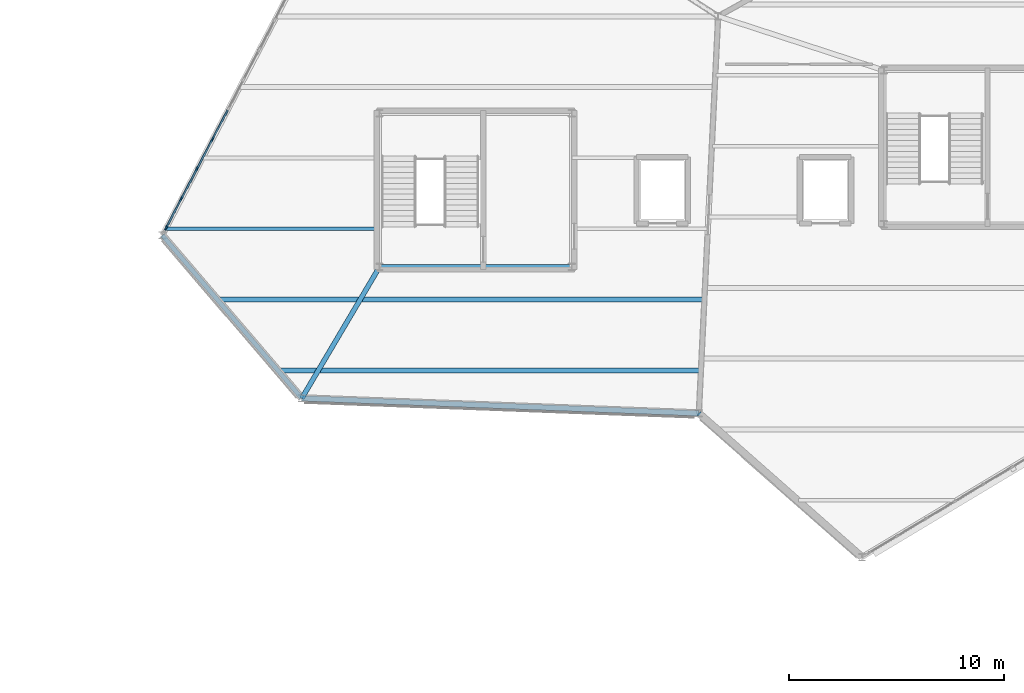
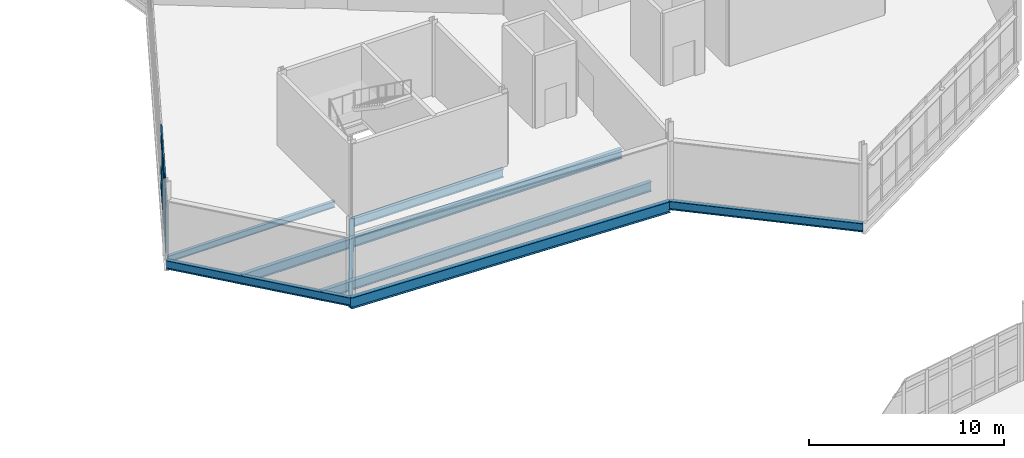
# One storey, part 50 of 114: 20 members, 8 beams, 1 element without a shape of its own.
"""IFC4 building model written with IfcOpenShell, lengths in metres."""

from ifc_helpers import new_model, si_unit, direction, frame, origin, origin_2d, place, context, subcontext, project, spatial, rectangle, i_section, extrude, material, material_profile, profile_set, type_object, element, aggregate, save


model = new_model("IFC4")

# Units and contexts
model_context = context("Model", 3, precision=1e-05, world=origin(), true_north=direction((0.0, 1.0)))
body_context = subcontext(model_context, "Body", "Model", "MODEL_VIEW")
ifc_project = project(units=[si_unit("LENGTHUNIT", "METRE"), si_unit("AREAUNIT", "SQUARE_METRE"), si_unit("VOLUMEUNIT", "CUBIC_METRE"), si_unit("PLANEANGLEUNIT", "RADIAN"), si_unit("MASSUNIT", "GRAM", prefix="KILO")], contexts=[model_context])

# Site, building, storey
site_placement = place(None, origin())
site = spatial("IfcSite", under=ifc_project, at=site_placement, CompositionType="ELEMENT")
building_placement = place(site_placement, origin())
building = spatial("IfcBuilding", under=site, at=building_placement, Name="Tameran Prism Museum", CompositionType="ELEMENT")
storey_placement = place(building_placement, frame((0.0, 0.0, 10.199951171875)))
storey = spatial("IfcBuildingStorey", under=building, at=storey_placement, Name="L02", CompositionType="ELEMENT", Elevation=10.199951171875)

# Beams
ifc_material_1 = material(Name="Steel Grade 300PLUS (300 MPa)", Category="steel")
ifc_material_profile_1 = material_profile(ifc_material_1, i_section(OverallWidth=0.177978515625, OverallDepth=0.403076171875, WebThickness=0.007568359375, FlangeThickness=0.010986328125, FilletRadius=0.011474609375, at=origin_2d()))
ifc_profile_set_1 = profile_set([ifc_material_profile_1])
beam_type_1 = type_object("IfcBeamType", Name="BM-J410B", PredefinedType="JOIST", material=ifc_profile_set_1)
beam_1_placement = place(storey_placement, frame((93.10205078125, 79.199951171875, -0.4013671875), z_axis=(1.0, 0.0, 0.0), x_axis=(0.0, 1.0, 0.0)))
element("IfcBeam", 1, at=beam_1_placement, inside=storey, type_object=beam_type_1, Name="Floor Beam BM-0811", PredefinedType="JOIST", context=body_context, shape_type="SweptSolid", body=[
    extrude(i_section(OverallWidth=0.177978515625, OverallDepth=0.403076171875, WebThickness=0.007568359375, FlangeThickness=0.010986328125, FilletRadius=0.011474609375, at=origin_2d()), origin(), (0.0, 0.0, 1.0), 9.91796875),
])
ifc_material_2 = material(Name="Steel Grade 300PLUS (300 MPa)", Category="steel")
ifc_material_profile_2 = material_profile(ifc_material_2, i_section(OverallWidth=0.208984375, OverallDepth=0.532958984375, WebThickness=0.01025390625, FlangeThickness=0.015625, FilletRadius=0.013916015625, at=origin_2d()))
ifc_profile_set_2 = profile_set([ifc_material_profile_2])
beam_type_2 = type_object("IfcBeamType", Name="BM-SP530A", PredefinedType="SPANDREL", material=ifc_profile_set_2)
beam_2_placement = place(storey_placement, frame((92.89990234375, 78.89990234375, -0.466552734375), z_axis=(0.649974737731, -0.75995581471, 0.0), x_axis=(0.75995581471, 0.649974737731, 0.0)))
element("IfcBeam", 2, at=beam_2_placement, inside=storey, type_object=beam_type_2, Name="Perimeter Spandrel SP-0658", PredefinedType="SPANDREL", context=body_context, shape_type="SweptSolid", body=[
    extrude(i_section(OverallWidth=0.208984375, OverallDepth=0.532958984375, WebThickness=0.01025390625, FlangeThickness=0.015625, FilletRadius=0.013916015625, at=origin_2d()), origin(), (0.0, 0.0, 1.0), 10.00048828125),
])
beam_3_placement = place(storey_placement, frame((117.89990234375, 70.60009765625, -0.466552734375), z_axis=(0.750120474088, -0.661301197908, 0.0), x_axis=(0.661301197908, 0.750120474088, 0.0)))
element("IfcBeam", 3, at=beam_3_placement, inside=storey, type_object=beam_type_2, Name="Perimeter Spandrel SP-0659", PredefinedType="SPANDREL", context=body_context, shape_type="SweptSolid", body=[
    extrude(i_section(OverallWidth=0.208984375, OverallDepth=0.532958984375, WebThickness=0.01025390625, FlangeThickness=0.015625, FilletRadius=0.013916015625, at=origin_2d()), origin(), (0.0, 0.0, 1.0), 10.1318359375),
])
ifc_material_3 = material(Name="Steel Grade 300PLUS (300 MPa)", Category="steel")
ifc_material_profile_3 = material_profile(ifc_material_3, i_section(OverallWidth=0.208984375, OverallDepth=0.528076171875, WebThickness=0.009521484375, FlangeThickness=0.01318359375, FilletRadius=0.013916015625, at=origin_2d()))
ifc_profile_set_3 = profile_set([ifc_material_profile_3])
beam_type_3 = type_object("IfcBeamType", Name="BM-SP530B", PredefinedType="SPANDREL", material=ifc_profile_set_3)
beam_4_placement = place(storey_placement, frame((103.02001953125, 77.419921875, -0.50390625), z_axis=(1.0, 0.0, 0.0), x_axis=(0.0, 1.0, 0.0)))
element("IfcBeam", 4, at=beam_4_placement, inside=storey, type_object=beam_type_3, Name="Core Ring Beam CTB-0757", PredefinedType="SPANDREL", context=body_context, shape_type="SweptSolid", body=[
    extrude(i_section(OverallWidth=0.208984375, OverallDepth=0.528076171875, WebThickness=0.009521484375, FlangeThickness=0.01318359375, FilletRadius=0.013916015625, at=origin_2d()), origin(), (0.0, 0.0, 1.0), 8.9599609375),
])
ifc_material_4 = material(Name="Steel Grade 350 (350 MPa)", Category="steel")
ifc_material_profile_4 = material_profile(ifc_material_4, i_section(OverallWidth=0.25, OverallDepth=0.699951171875, WebThickness=0.010009765625, FlangeThickness=0.02001953125, at=origin_2d()))
ifc_profile_set_4 = profile_set([ifc_material_profile_4])
beam_type_4 = type_object("IfcBeamType", Name="BM-SP700", PredefinedType="SPANDREL", material=ifc_profile_set_4)
beam_5_placement = place(storey_placement, frame((99.39990234375, 71.300048828125, -0.550048828125), z_axis=(0.999285016412, -0.037808146934, 0.0), x_axis=(0.037808146934, 0.999285016412, 0.0)))
element("IfcBeam", 5, at=beam_5_placement, inside=storey, type_object=beam_type_4, Name="Perimeter Spandrel SP-0654", PredefinedType="SPANDREL", context=body_context, shape_type="SweptSolid", body=[
    extrude(i_section(OverallWidth=0.25, OverallDepth=0.699951171875, WebThickness=0.010009765625, FlangeThickness=0.02001953125, at=origin_2d()), origin(), (0.0, 0.0, 1.0), 18.51318359375),
])
ifc_material_5 = material(Name="Steel Grade 300PLUS (300 MPa)", Category="steel")
ifc_material_profile_5 = material_profile(ifc_material_5, i_section(OverallWidth=0.22900390625, OverallDepth=0.612060546875, WebThickness=0.011962890625, FlangeThickness=0.01953125, FilletRadius=0.013916015625, at=origin_2d()))
ifc_profile_set_5 = profile_set([ifc_material_profile_5])
beam_type_5 = type_object("IfcBeamType", Name="BM-UB610A", PredefinedType="BEAM", material=ifc_profile_set_5)
beam_6_placement = place(storey_placement, frame((103.02001953125, 77.419921875, -0.56005859375), z_axis=(-0.50912834972, -0.860690608472, 0.0), x_axis=(0.860690608472, -0.50912834972, 0.0)))
element("IfcBeam", 6, at=beam_6_placement, inside=storey, type_object=beam_type_5, Name="Frame Tie Girder FG-1383", PredefinedType="BEAM", context=body_context, shape_type="SweptSolid", body=[
    extrude(i_section(OverallWidth=0.22900390625, OverallDepth=0.612060546875, WebThickness=0.011962890625, FlangeThickness=0.01953125, FilletRadius=0.013916015625, at=origin_2d()), origin(), (0.0, 0.0, 1.0), 7.1103515625),
])
ifc_material_6 = material(Name="Steel Grade 300PLUS (300 MPa)", Category="steel")
ifc_material_profile_6 = material_profile(ifc_material_6, i_section(OverallWidth=0.22802734375, OverallDepth=0.60693359375, WebThickness=0.01123046875, FlangeThickness=0.017333984375, FilletRadius=0.013916015625, at=origin_2d()))
ifc_profile_set_6 = profile_set([ifc_material_profile_6])
beam_type_6 = type_object("IfcBeamType", Name="BM-UB610B", PredefinedType="BEAM", material=ifc_profile_set_6)
beam_7_placement = place(storey_placement, frame((98.341064453125, 72.60009765625, -0.50341796875), z_axis=(1.0, 0.0, 0.0), x_axis=(0.0, 1.0, 0.0)))
element("IfcBeam", 7, at=beam_7_placement, inside=storey, type_object=beam_type_6, Name="Floor Beam BM-0809", PredefinedType="BEAM", context=body_context, shape_type="SweptSolid", body=[
    extrude(i_section(OverallWidth=0.22802734375, OverallDepth=0.60693359375, WebThickness=0.01123046875, FlangeThickness=0.017333984375, FilletRadius=0.013916015625, at=origin_2d()), origin(), (0.0, 0.0, 1.0), 19.615966796875),
])
beam_8_placement = place(storey_placement, frame((95.51806640625, 75.89990234375, -0.50341796875), z_axis=(1.0, 0.0, 0.0), x_axis=(0.0, 1.0, 0.0)))
element("IfcBeam", 8, at=beam_8_placement, inside=storey, type_object=beam_type_6, Name="Floor Beam BM-0810", PredefinedType="BEAM", context=body_context, shape_type="SweptSolid", body=[
    extrude(i_section(OverallWidth=0.22802734375, OverallDepth=0.60693359375, WebThickness=0.01123046875, FlangeThickness=0.017333984375, FilletRadius=0.013916015625, at=origin_2d()), origin(), (0.0, 0.0, 1.0), 22.599853515625),
])

# Curtain wall, members
ifc_material_7 = material(Name="Anodised Aluminium 6063-T6 and Cyclone Solar Glass", Category="aluminium")
curtain_wall_type = type_object("IfcCurtainWallType", Name="CW-FAC-2192x362", PredefinedType="USERDEFINED", material=ifc_material_7)
curtain_wall_placement = place(storey_placement, origin())
curtain_wall = element("IfcCurtainWall", 9, at=curtain_wall_placement, inside=storey, type_object=curtain_wall_type, Name="Unitised Curtain Wall CW-098", ObjectType="UNITISED CURTAIN WALL", PredefinedType="USERDEFINED")
ifc_material_8 = material(Name="Anodised Aluminium Alloy 6063-T6", Category="aluminium")
ifc_material_profile_7 = material_profile(ifc_material_8, rectangle(XDim=0.080078125, YDim=0.219970703125, at=origin_2d()))
ifc_profile_set_7 = profile_set([ifc_material_profile_7])
member_type_1 = type_object("IfcMemberType", Name="CW-MUL-D", PredefinedType="MULLION", material=ifc_profile_set_7)
member_1_placement = place(storey_placement, frame((93.08056640625, 79.245361328125, 0.0), z_axis=(0.0, 0.0, 1.0), x_axis=(-0.886356952612, 0.463002540551, 0.0)))
member_1 = element("IfcMember", 10, at=member_1_placement, type_object=member_type_1, Name="CW-098 mullion 1", PredefinedType="MULLION", context=body_context, shape_type="SweptSolid", body=[
    extrude(rectangle(XDim=0.080078125, YDim=0.219970703125, at=origin_2d()), origin(), (0.0, 0.0, 1.0), 3.6201171875),
])
member_2_placement = place(storey_placement, frame((93.786865234375, 80.59765625, 0.0), z_axis=(0.0, 0.0, 1.0), x_axis=(-0.886356952612, 0.463002540551, 0.0)))
member_2 = element("IfcMember", 11, at=member_2_placement, type_object=member_type_1, Name="CW-098 mullion 2", PredefinedType="MULLION", context=body_context, shape_type="SweptSolid", body=[
    extrude(rectangle(XDim=0.080078125, YDim=0.219970703125, at=origin_2d()), origin(), (0.0, 0.0, 1.0), 3.6201171875),
])
member_3_placement = place(storey_placement, frame((94.51171875, 81.9853515625, 0.0), z_axis=(0.0, 0.0, 1.0), x_axis=(-0.886356952612, 0.463002540551, 0.0)))
member_3 = element("IfcMember", 12, at=member_3_placement, type_object=member_type_1, Name="CW-098 mullion 3", PredefinedType="MULLION", context=body_context, shape_type="SweptSolid", body=[
    extrude(rectangle(XDim=0.080078125, YDim=0.219970703125, at=origin_2d()), origin(), (0.0, 0.0, 1.0), 3.6201171875),
])
member_4_placement = place(storey_placement, frame((95.236572265625, 83.373046875, 0.0), z_axis=(0.0, 0.0, 1.0), x_axis=(-0.886356952612, 0.463002540551, 0.0)))
member_4 = element("IfcMember", 13, at=member_4_placement, type_object=member_type_1, Name="CW-098 mullion 4", PredefinedType="MULLION", context=body_context, shape_type="SweptSolid", body=[
    extrude(rectangle(XDim=0.080078125, YDim=0.219970703125, at=origin_2d()), origin(), (0.0, 0.0, 1.0), 3.6201171875),
])
ifc_material_9 = material(Name="Anodised Aluminium Alloy 6063-T6", Category="aluminium")
ifc_material_profile_8 = material_profile(ifc_material_9, rectangle(XDim=0.080078125, YDim=0.195068359375, at=origin_2d()))
ifc_profile_set_8 = profile_set([ifc_material_profile_8])
member_type_2 = type_object("IfcMemberType", Name="CW-TRN-D", PredefinedType="USERDEFINED", material=ifc_profile_set_8)
member_5_placement = place(storey_placement, frame((93.09912109375, 79.281005859375, 0.0400390625), z_axis=(0.462952699184, 0.886382986253, 0.0), x_axis=(-0.886382986253, 0.462952699184, 0.0)))
member_5 = element("IfcMember", 14, at=member_5_placement, type_object=member_type_2, Name="CW-098 transom 1.1", ObjectType="TRANSOM", PredefinedType="USERDEFINED", context=body_context, shape_type="SweptSolid", body=[
    extrude(rectangle(XDim=0.080078125, YDim=0.195068359375, at=origin_2d()), origin(), (0.0, 0.0, 1.0), 1.445556640625),
])
member_6_placement = place(storey_placement, frame((93.09912109375, 79.281005859375, 1.0), z_axis=(0.462952699184, 0.886382986253, 0.0), x_axis=(-0.886382986253, 0.462952699184, 0.0)))
member_6 = element("IfcMember", 15, at=member_6_placement, type_object=member_type_2, Name="CW-098 transom 1.2", ObjectType="TRANSOM", PredefinedType="USERDEFINED", context=body_context, shape_type="SweptSolid", body=[
    extrude(rectangle(XDim=0.080078125, YDim=0.195068359375, at=origin_2d()), origin(), (0.0, 0.0, 1.0), 1.445556640625),
])
member_7_placement = place(storey_placement, frame((93.09912109375, 79.281005859375, 2.93994140625), z_axis=(0.462952699184, 0.886382986253, 0.0), x_axis=(-0.886382986253, 0.462952699184, 0.0)))
member_7 = element("IfcMember", 16, at=member_7_placement, type_object=member_type_2, Name="CW-098 transom 1.3", ObjectType="TRANSOM", PredefinedType="USERDEFINED", context=body_context, shape_type="SweptSolid", body=[
    extrude(rectangle(XDim=0.080078125, YDim=0.195068359375, at=origin_2d()), origin(), (0.0, 0.0, 1.0), 1.445556640625),
])
member_8_placement = place(storey_placement, frame((93.09912109375, 79.281005859375, 3.580078125), z_axis=(0.462952699184, 0.886382986253, 0.0), x_axis=(-0.886382986253, 0.462952699184, 0.0)))
member_8 = element("IfcMember", 17, at=member_8_placement, type_object=member_type_2, Name="CW-098 transom 1.4", ObjectType="TRANSOM", PredefinedType="USERDEFINED", context=body_context, shape_type="SweptSolid", body=[
    extrude(rectangle(XDim=0.080078125, YDim=0.195068359375, at=origin_2d()), origin(), (0.0, 0.0, 1.0), 1.445556640625),
])
member_9_placement = place(storey_placement, frame((93.805419921875, 80.633056640625, 0.0400390625), z_axis=(0.46291978158, 0.886400178148, 0.0), x_axis=(-0.886400178148, 0.46291978158, 0.0)))
member_9 = element("IfcMember", 18, at=member_9_placement, type_object=member_type_2, Name="CW-098 transom 2.1", ObjectType="TRANSOM", PredefinedType="USERDEFINED", context=body_context, shape_type="SweptSolid", body=[
    extrude(rectangle(XDim=0.080078125, YDim=0.195068359375, at=origin_2d()), origin(), (0.0, 0.0, 1.0), 1.485595703125),
])
member_10_placement = place(storey_placement, frame((93.805419921875, 80.633056640625, 1.0), z_axis=(0.46291978158, 0.886400178148, 0.0), x_axis=(-0.886400178148, 0.46291978158, 0.0)))
member_10 = element("IfcMember", 19, at=member_10_placement, type_object=member_type_2, Name="CW-098 transom 2.2", ObjectType="TRANSOM", PredefinedType="USERDEFINED", context=body_context, shape_type="SweptSolid", body=[
    extrude(rectangle(XDim=0.080078125, YDim=0.195068359375, at=origin_2d()), origin(), (0.0, 0.0, 1.0), 1.485595703125),
])
member_11_placement = place(storey_placement, frame((93.805419921875, 80.633056640625, 2.93994140625), z_axis=(0.46291978158, 0.886400178148, 0.0), x_axis=(-0.886400178148, 0.46291978158, 0.0)))
member_11 = element("IfcMember", 20, at=member_11_placement, type_object=member_type_2, Name="CW-098 transom 2.3", ObjectType="TRANSOM", PredefinedType="USERDEFINED", context=body_context, shape_type="SweptSolid", body=[
    extrude(rectangle(XDim=0.080078125, YDim=0.195068359375, at=origin_2d()), origin(), (0.0, 0.0, 1.0), 1.485595703125),
])
member_12_placement = place(storey_placement, frame((93.805419921875, 80.633056640625, 3.580078125), z_axis=(0.46291978158, 0.886400178148, 0.0), x_axis=(-0.886400178148, 0.46291978158, 0.0)))
member_12 = element("IfcMember", 21, at=member_12_placement, type_object=member_type_2, Name="CW-098 transom 2.4", ObjectType="TRANSOM", PredefinedType="USERDEFINED", context=body_context, shape_type="SweptSolid", body=[
    extrude(rectangle(XDim=0.080078125, YDim=0.195068359375, at=origin_2d()), origin(), (0.0, 0.0, 1.0), 1.485595703125),
])
member_13_placement = place(storey_placement, frame((94.5302734375, 82.020751953125, 0.0400390625), z_axis=(0.462987220267, 0.886364955236, 0.0), x_axis=(-0.886364955236, 0.462987220267, 0.0)))
member_13 = element("IfcMember", 22, at=member_13_placement, type_object=member_type_2, Name="CW-098 transom 3.1", ObjectType="TRANSOM", PredefinedType="USERDEFINED", context=body_context, shape_type="SweptSolid", body=[
    extrude(rectangle(XDim=0.080078125, YDim=0.195068359375, at=origin_2d()), origin(), (0.0, 0.0, 1.0), 1.4853515625),
])
member_14_placement = place(storey_placement, frame((94.5302734375, 82.020751953125, 1.0), z_axis=(0.462987220267, 0.886364955236, 0.0), x_axis=(-0.886364955236, 0.462987220267, 0.0)))
member_14 = element("IfcMember", 23, at=member_14_placement, type_object=member_type_2, Name="CW-098 transom 3.2", ObjectType="TRANSOM", PredefinedType="USERDEFINED", context=body_context, shape_type="SweptSolid", body=[
    extrude(rectangle(XDim=0.080078125, YDim=0.195068359375, at=origin_2d()), origin(), (0.0, 0.0, 1.0), 1.4853515625),
])
member_15_placement = place(storey_placement, frame((94.5302734375, 82.020751953125, 2.93994140625), z_axis=(0.462987220267, 0.886364955236, 0.0), x_axis=(-0.886364955236, 0.462987220267, 0.0)))
member_15 = element("IfcMember", 24, at=member_15_placement, type_object=member_type_2, Name="CW-098 transom 3.3", ObjectType="TRANSOM", PredefinedType="USERDEFINED", context=body_context, shape_type="SweptSolid", body=[
    extrude(rectangle(XDim=0.080078125, YDim=0.195068359375, at=origin_2d()), origin(), (0.0, 0.0, 1.0), 1.4853515625),
])
member_16_placement = place(storey_placement, frame((94.5302734375, 82.020751953125, 3.580078125), z_axis=(0.462987220267, 0.886364955236, 0.0), x_axis=(-0.886364955236, 0.462987220267, 0.0)))
member_16 = element("IfcMember", 25, at=member_16_placement, type_object=member_type_2, Name="CW-098 transom 3.4", ObjectType="TRANSOM", PredefinedType="USERDEFINED", context=body_context, shape_type="SweptSolid", body=[
    extrude(rectangle(XDim=0.080078125, YDim=0.195068359375, at=origin_2d()), origin(), (0.0, 0.0, 1.0), 1.4853515625),
])
member_17_placement = place(storey_placement, frame((95.255126953125, 83.408447265625, 0.0400390625), z_axis=(0.462987220267, 0.886364955236, 0.0), x_axis=(-0.886364955236, 0.462987220267, 0.0)))
member_17 = element("IfcMember", 26, at=member_17_placement, type_object=member_type_2, Name="CW-098 transom 4.1", ObjectType="TRANSOM", PredefinedType="USERDEFINED", context=body_context, shape_type="SweptSolid", body=[
    extrude(rectangle(XDim=0.080078125, YDim=0.195068359375, at=origin_2d()), origin(), (0.0, 0.0, 1.0), 1.4853515625),
])
member_18_placement = place(storey_placement, frame((95.255126953125, 83.408447265625, 1.0), z_axis=(0.462987220267, 0.886364955236, 0.0), x_axis=(-0.886364955236, 0.462987220267, 0.0)))
member_18 = element("IfcMember", 27, at=member_18_placement, type_object=member_type_2, Name="CW-098 transom 4.2", ObjectType="TRANSOM", PredefinedType="USERDEFINED", context=body_context, shape_type="SweptSolid", body=[
    extrude(rectangle(XDim=0.080078125, YDim=0.195068359375, at=origin_2d()), origin(), (0.0, 0.0, 1.0), 1.4853515625),
])
member_19_placement = place(storey_placement, frame((95.255126953125, 83.408447265625, 2.93994140625), z_axis=(0.462987220267, 0.886364955236, 0.0), x_axis=(-0.886364955236, 0.462987220267, 0.0)))
member_19 = element("IfcMember", 28, at=member_19_placement, type_object=member_type_2, Name="CW-098 transom 4.3", ObjectType="TRANSOM", PredefinedType="USERDEFINED", context=body_context, shape_type="SweptSolid", body=[
    extrude(rectangle(XDim=0.080078125, YDim=0.195068359375, at=origin_2d()), origin(), (0.0, 0.0, 1.0), 1.4853515625),
])
member_20_placement = place(storey_placement, frame((95.255126953125, 83.408447265625, 3.580078125), z_axis=(0.462987220267, 0.886364955236, 0.0), x_axis=(-0.886364955236, 0.462987220267, 0.0)))
member_20 = element("IfcMember", 29, at=member_20_placement, type_object=member_type_2, Name="CW-098 transom 4.4", ObjectType="TRANSOM", PredefinedType="USERDEFINED", context=body_context, shape_type="SweptSolid", body=[
    extrude(rectangle(XDim=0.080078125, YDim=0.195068359375, at=origin_2d()), origin(), (0.0, 0.0, 1.0), 1.4853515625),
])
aggregate(curtain_wall, [member_1, member_2, member_3, member_4, member_5, member_6, member_7, member_8, member_9, member_10, member_11, member_12, member_13, member_14, member_15, member_16, member_17, member_18, member_19, member_20])

save(model, "model.ifc")
